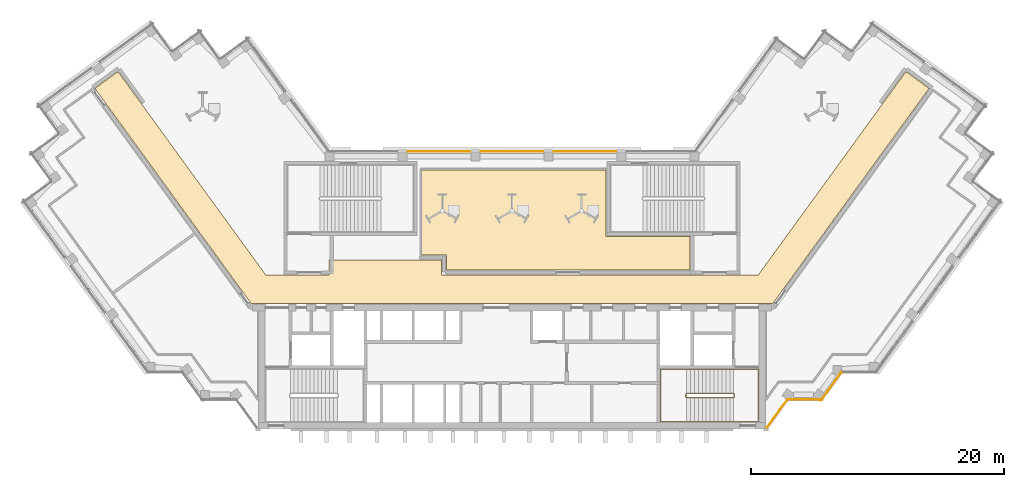
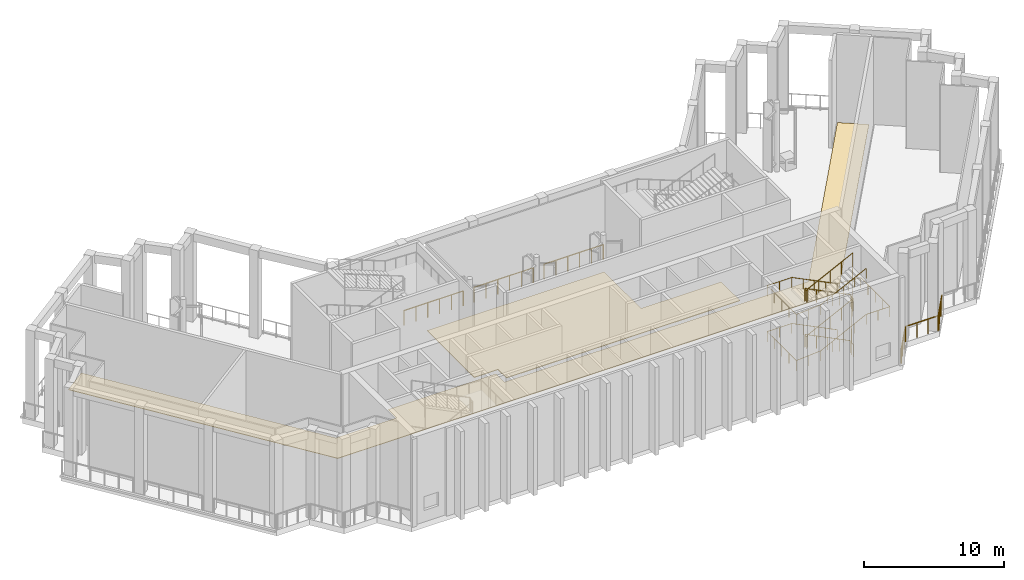
# One storey, part 9 of 12: 8 railings, 2 coverings.
"""IFC4 building model written with IfcOpenShell, lengths in metres."""

from ifc_helpers import new_model, si_unit, direction, frame, origin, origin_2d, place, context, subcontext, project, spatial, polyline, circle, outline, extrude, material, layer, layer_set, type_object, element, save


model = new_model("IFC4")

# Units and contexts
model_context = context("Model", 3, precision=1e-05, world=origin(), true_north=direction((0.0, 1.0)))
body_context = subcontext(model_context, "Body", "Model", "MODEL_VIEW")
ifc_project = project(units=[si_unit("LENGTHUNIT", "METRE"), si_unit("AREAUNIT", "SQUARE_METRE"), si_unit("VOLUMEUNIT", "CUBIC_METRE"), si_unit("PLANEANGLEUNIT", "RADIAN"), si_unit("MASSUNIT", "GRAM", prefix="KILO")], contexts=[model_context])

# Site, building, storey
site_placement = place(None, origin())
site = spatial("IfcSite", under=ifc_project, at=site_placement, CompositionType="ELEMENT")
building_placement = place(site_placement, origin())
building = spatial("IfcBuilding", under=site, at=building_placement, Name="Quipu Civic Tower", CompositionType="ELEMENT")
storey_placement = place(building_placement, frame((0.0, 0.0, 273.0)))
storey = spatial("IfcBuildingStorey", under=building, at=storey_placement, Name="L64", CompositionType="ELEMENT", Elevation=273.0)

# Covering
ifc_material_1 = material(Name="Sealed cement screed")
ifc_layer_1 = layer(ifc_material_1, 0.050048828125)
ifc_layer_set_1 = layer_set([ifc_layer_1], Name="Sealed cement screed")
covering_type_1 = type_object("IfcCoveringType", Name="Sealed screed floor finish 50", PredefinedType="FLOORING", material=ifc_layer_set_1)
covering_1_placement = place(storey_placement, origin())
element("IfcCovering", 1, at=covering_1_placement, inside=storey, type_object=covering_type_1, Name="Sealed screed floor finish 50", PredefinedType="FLOORING", context=body_context, shape_type="SweptSolid", body=[
    extrude(outline(polyline([(-7.1279296875, 2.719970703125), (-7.1279296875, 9.429931640625), (7.429931640625, 9.429931640625), (7.430908203125, 4.179931640625), (14.030029296875, 4.179931640625), (14.030029296875, 1.52001953125), (-5.179931640625, 1.52001953125), (-5.180908203125, 2.719970703125), (-7.1279296875, 2.719970703125)])), origin(), (0.0, 0.0, 1.0), 0.050048828125),
])

# Railings
ifc_material_2 = material(Name="Steel S275", Category="steel")
railing_type_1 = type_object("IfcRailingType", Name="Slot perimeter guard G3", PredefinedType="GUARDRAIL", material=ifc_material_2)
railing_1_placement = place(storey_placement, frame((20.107666015625, -10.929443359375, 0.0)))
element("IfcRailing", 2, at=railing_1_placement, inside=storey, type_object=railing_type_1, Name="Slot guard L64.20", PredefinedType="GUARDRAIL", context=body_context, shape_type="SweptSolid", body=[
    extrude(circle(Radius=0.02490234375, at=origin_2d()), frame((0.0, 0.0, 1.27490234375), z_axis=(0.587822180636, 0.808990163075, 0.0), x_axis=(-0.808990163075, 0.587822180636, 0.0)), (0.0, 0.0, 1.0), 2.699951171875),
    extrude(circle(Radius=0.02490234375, at=origin_2d()), origin(), (0.0, 0.0, 1.0), 1.25),
    extrude(circle(Radius=0.02490234375, at=origin_2d()), frame((0.529052734375, 0.72802734375, 0.0)), (0.0, 0.0, 1.0), 1.25),
    extrude(circle(Radius=0.02490234375, at=origin_2d()), frame((1.05810546875, 1.456298828125, 0.0)), (0.0, 0.0, 1.0), 1.25),
    extrude(circle(Radius=0.02490234375, at=origin_2d()), frame((1.587158203125, 2.184326171875, 0.0)), (0.0, 0.0, 1.0), 1.25),
])
railing_2_placement = place(storey_placement, frame((21.791748046875, -8.69580078125, 0.0)))
element("IfcRailing", 3, at=railing_2_placement, inside=storey, type_object=railing_type_1, Name="Slot guard L64.21", PredefinedType="GUARDRAIL", context=body_context, shape_type="SweptSolid", body=[
    extrude(circle(Radius=0.02490234375, at=origin_2d()), frame((0.0, 0.0, 1.27490234375), z_axis=(1.0, 0.0, 0.0), x_axis=(0.0, 1.0, 0.0)), (0.0, 0.0, 1.0), 2.699951171875),
    extrude(circle(Radius=0.02490234375, at=origin_2d()), origin(), (0.0, 0.0, 1.0), 1.25),
    extrude(circle(Radius=0.02490234375, at=origin_2d()), frame((0.89990234375, 0.0, 0.0)), (0.0, 0.0, 1.0), 1.25),
    extrude(circle(Radius=0.02490234375, at=origin_2d()), frame((1.800048828125, 0.0, 0.0)), (0.0, 0.0, 1.0), 1.25),
    extrude(circle(Radius=0.02490234375, at=origin_2d()), frame((2.699951171875, 0.0, 0.0)), (0.0, 0.0, 1.0), 1.25),
])
railing_3_placement = place(storey_placement, frame((24.394775390625, -8.7451171875, 0.0)))
element("IfcRailing", 4, at=railing_3_placement, inside=storey, type_object=railing_type_1, Name="Slot guard L64.22", PredefinedType="GUARDRAIL", context=body_context, shape_type="SweptSolid", body=[
    extrude(circle(Radius=0.02490234375, at=origin_2d()), frame((0.0, 0.0, 1.27490234375), z_axis=(0.587762999008, 0.809033161865, 0.0), x_axis=(-0.809033161865, 0.587762999008, 0.0)), (0.0, 0.0, 1.0), 2.699951171875),
    extrude(circle(Radius=0.02490234375, at=origin_2d()), origin(), (0.0, 0.0, 1.0), 1.25),
    extrude(circle(Radius=0.02490234375, at=origin_2d()), frame((0.529052734375, 0.72802734375, 0.0)), (0.0, 0.0, 1.0), 1.25),
    extrude(circle(Radius=0.02490234375, at=origin_2d()), frame((1.057861328125, 1.456298828125, 0.0)), (0.0, 0.0, 1.0), 1.25),
    extrude(circle(Radius=0.02490234375, at=origin_2d()), frame((1.5869140625, 2.184326171875, 0.0)), (0.0, 0.0, 1.0), 1.25),
])
for number, where, name in (
    (5, (8.18701171875, 10.8798828125, 0.0), "Slot guard L64.40"),
    (6, (2.428955078125, 10.8798828125, 0.0), "Slot guard L64.41"),
    (7, (-3.3291015625, 10.8798828125, 0.0), "Slot guard L64.42"),
):
    element("IfcRailing", number, at=place(storey_placement, frame(where)), inside=storey, type_object=railing_type_1, Name=name, PredefinedType="GUARDRAIL", context=body_context, shape_type="SweptSolid", body=[
        extrude(circle(Radius=0.02490234375, at=origin_2d()), frame((0.0, 0.0, 1.27490234375), z_axis=(-1.0, 0.0, 0.0), x_axis=(0.0, -1.0, 0.0)), (0.0, 0.0, 1.0), 4.85791015625),
        extrude(circle(Radius=0.02490234375, at=origin_2d()), origin(), (0.0, 0.0, 1.0), 1.25),
        extrude(circle(Radius=0.02490234375, at=origin_2d()), frame((-0.9716796875, 0.0, 0.0)), (0.0, 0.0, 1.0), 1.25),
        extrude(circle(Radius=0.02490234375, at=origin_2d()), frame((-1.943115234375, 0.0, 0.0)), (0.0, 0.0, 1.0), 1.25),
        extrude(circle(Radius=0.02490234375, at=origin_2d()), frame((-2.914794921875, 0.0, 0.0)), (0.0, 0.0, 1.0), 1.25),
        extrude(circle(Radius=0.02490234375, at=origin_2d()), frame((-3.88623046875, 0.0, 0.0)), (0.0, 0.0, 1.0), 1.25),
        extrude(circle(Radius=0.02490234375, at=origin_2d()), frame((-4.85791015625, 0.0, 0.0)), (0.0, 0.0, 1.0), 1.25),
    ])
ifc_material_3 = material(Name="Stainless steel", Category="steel")
railing_type_2 = type_object("IfcRailingType", Name="Stair guard 1100", PredefinedType="GUARDRAIL", material=ifc_material_3)
railing_4_placement = place(storey_placement, frame((17.5, -8.199951171875, 0.15380859375)))
element("IfcRailing", 8, at=railing_4_placement, inside=storey, type_object=railing_type_2, Name="Stair 2 guard", PredefinedType="GUARDRAIL", context=body_context, shape_type="SweptSolid", body=[
    extrude(circle(Radius=0.02392578125, at=origin_2d()), frame((0.0, 0.0, 1.076171875), z_axis=(-0.895751851347, 0.0, 0.444554407028), x_axis=(0.0, -1.0, 0.0)), (0.0, 0.0, 1.0), 4.15283203125),
    extrude(circle(Radius=0.02392578125, at=origin_2d()), frame((-3.719970703125, 0.0, 2.92236328125), z_axis=(-0.707106781187, -0.707106781187, 0.0), x_axis=(0.707106781187, -0.707106781187, 0.0)), (0.0, 0.0, 1.0), 0.07080078125),
    extrude(circle(Radius=0.02392578125, at=origin_2d()), frame((-3.77001953125, -0.050048828125, 2.92236328125), z_axis=(0.0, -1.0, 0.0), x_axis=(1.0, 0.0, 0.0)), (0.0, 0.0, 1.0), 0.25),
    extrude(circle(Radius=0.02392578125, at=origin_2d()), frame((-3.77001953125, -0.300048828125, 2.92236328125), z_axis=(0.295599637079, -0.295599637079, 0.908428152975), x_axis=(0.707106781187, 0.707106781187, 0.0)), (0.0, 0.0, 1.0), 0.16943359375),
    extrude(circle(Radius=0.02392578125, at=origin_2d()), frame((-3.719970703125, -0.35009765625, 3.076171875), z_axis=(0.895751851347, 0.0, 0.444554407028), x_axis=(0.0, 1.0, 0.0)), (0.0, 0.0, 1.0), 4.15283203125),
    extrude(circle(Radius=0.02392578125, at=origin_2d()), frame((0.0, -0.35009765625, 4.92236328125), z_axis=(0.164529134168, 0.986372223864, 0.0), x_axis=(-0.986372223864, 0.164529134168, 0.0)), (0.0, 0.0, 1.0), 0.30419921875),
    extrude(circle(Radius=0.02392578125, at=origin_2d()), frame((0.050048828125, -0.050048828125, 4.92236328125), z_axis=(0.0, -1.0, 0.0), x_axis=(1.0, 0.0, 0.0)), (0.0, 0.0, 1.0), 0.25),
    extrude(circle(Radius=0.02392578125, at=origin_2d()), frame((0.050048828125, -0.300048828125, 4.92236328125), z_axis=(-0.146827419986, 0.880248288601, 0.451225729714), x_axis=(-0.986372223864, -0.164529134168, 0.0)), (0.0, 0.0, 1.0), 0.3408203125),
    extrude(circle(Radius=0.02392578125, at=origin_2d()), frame((0.0, 0.0, 5.076171875), z_axis=(-0.895751851347, 0.0, 0.444554407028), x_axis=(0.0, -1.0, 0.0)), (0.0, 0.0, 1.0), 4.15283203125),
    extrude(circle(Radius=0.02392578125, at=origin_2d()), frame((-3.719970703125, 0.0, 6.92236328125), z_axis=(-0.707106781187, -0.707106781187, 0.0), x_axis=(0.707106781187, -0.707106781187, 0.0)), (0.0, 0.0, 1.0), 0.07080078125),
    extrude(circle(Radius=0.02392578125, at=origin_2d()), frame((-3.77001953125, -0.050048828125, 6.92236328125), z_axis=(0.0, -1.0, 0.0), x_axis=(1.0, 0.0, 0.0)), (0.0, 0.0, 1.0), 0.25),
    extrude(circle(Radius=0.02392578125, at=origin_2d()), frame((-3.77001953125, -0.300048828125, 6.92236328125), z_axis=(0.295599637079, -0.295599637079, 0.908428152975), x_axis=(0.707106781187, 0.707106781187, 0.0)), (0.0, 0.0, 1.0), 0.16943359375),
    extrude(circle(Radius=0.02392578125, at=origin_2d()), frame((-3.719970703125, -0.35009765625, 7.076171875), z_axis=(0.895751851347, 0.0, 0.444554407028), x_axis=(0.0, 1.0, 0.0)), (0.0, 0.0, 1.0), 4.15283203125),
    extrude(circle(Radius=0.02392578125, at=origin_2d()), frame((0.0, -0.35009765625, 8.92236328125), z_axis=(0.006251585731, 0.037479018846, -0.999277859668), x_axis=(-0.986372223864, 0.164529134168, 0.0)), (0.0, 0.0, 1.0), 8.005859375),
    extrude(circle(Radius=0.02392578125, at=origin_2d()), frame((0.050048828125, -0.050048828125, 0.92236328125), z_axis=(0.0, -1.0, 0.0), x_axis=(1.0, 0.0, 0.0)), (0.0, 0.0, 1.0), 0.25),
    extrude(circle(Radius=0.02099609375, at=origin_2d()), origin(), (0.0, 0.0, 1.0), 1.052001953125),
    extrude(circle(Radius=0.02099609375, at=origin_2d()), frame((-0.929931640625, 0.0, 0.46142578125)), (0.0, 0.0, 1.0), 1.052001953125),
    extrude(circle(Radius=0.02099609375, at=origin_2d()), frame((-1.85986328125, 0.0, 0.923095703125)), (0.0, 0.0, 1.0), 1.052001953125),
    extrude(circle(Radius=0.02099609375, at=origin_2d()), frame((-2.7900390625, 0.0, 1.384765625)), (0.0, 0.0, 1.0), 1.052001953125),
    extrude(circle(Radius=0.02099609375, at=origin_2d()), frame((-3.719970703125, 0.0, 1.84619140625)), (0.0, 0.0, 1.0), 1.052001953125),
    extrude(circle(Radius=0.02099609375, at=origin_2d()), frame((-3.77001953125, -0.050048828125, 1.84619140625)), (0.0, 0.0, 1.0), 1.052001953125),
    extrude(circle(Radius=0.02099609375, at=origin_2d()), frame((-3.77001953125, -0.300048828125, 1.84619140625)), (0.0, 0.0, 1.0), 1.052001953125),
    extrude(circle(Radius=0.02099609375, at=origin_2d()), frame((-3.719970703125, -0.35009765625, 2.0)), (0.0, 0.0, 1.0), 1.052001953125),
    extrude(circle(Radius=0.02099609375, at=origin_2d()), frame((-2.7900390625, -0.35009765625, 2.46142578125)), (0.0, 0.0, 1.0), 1.052001953125),
    extrude(circle(Radius=0.02099609375, at=origin_2d()), frame((-1.85986328125, -0.35009765625, 2.923095703125)), (0.0, 0.0, 1.0), 1.052001953125),
    extrude(circle(Radius=0.02099609375, at=origin_2d()), frame((-0.929931640625, -0.35009765625, 3.384765625)), (0.0, 0.0, 1.0), 1.052001953125),
    extrude(circle(Radius=0.02099609375, at=origin_2d()), frame((0.0, -0.35009765625, 3.84619140625)), (0.0, 0.0, 1.0), 1.052001953125),
    extrude(circle(Radius=0.02099609375, at=origin_2d()), frame((0.050048828125, -0.050048828125, 3.84619140625)), (0.0, 0.0, 1.0), 1.052001953125),
    extrude(circle(Radius=0.02099609375, at=origin_2d()), frame((0.050048828125, -0.300048828125, 3.84619140625)), (0.0, 0.0, 1.0), 1.052001953125),
    extrude(circle(Radius=0.02099609375, at=origin_2d()), frame((0.0, 0.0, 4.0)), (0.0, 0.0, 1.0), 1.052001953125),
    extrude(circle(Radius=0.02099609375, at=origin_2d()), frame((-0.929931640625, 0.0, 4.46142578125)), (0.0, 0.0, 1.0), 1.052001953125),
    extrude(circle(Radius=0.02099609375, at=origin_2d()), frame((-1.85986328125, 0.0, 4.923095703125)), (0.0, 0.0, 1.0), 1.052001953125),
    extrude(circle(Radius=0.02099609375, at=origin_2d()), frame((-2.7900390625, 0.0, 5.384765625)), (0.0, 0.0, 1.0), 1.052001953125),
    extrude(circle(Radius=0.02099609375, at=origin_2d()), frame((-3.719970703125, 0.0, 5.84619140625)), (0.0, 0.0, 1.0), 1.052001953125),
    extrude(circle(Radius=0.02099609375, at=origin_2d()), frame((-3.77001953125, -0.050048828125, 5.84619140625)), (0.0, 0.0, 1.0), 1.052001953125),
    extrude(circle(Radius=0.02099609375, at=origin_2d()), frame((-3.77001953125, -0.300048828125, 5.84619140625)), (0.0, 0.0, 1.0), 1.052001953125),
    extrude(circle(Radius=0.02099609375, at=origin_2d()), frame((-3.719970703125, -0.35009765625, 6.0)), (0.0, 0.0, 1.0), 1.052001953125),
    extrude(circle(Radius=0.02099609375, at=origin_2d()), frame((-2.7900390625, -0.35009765625, 6.46142578125)), (0.0, 0.0, 1.0), 1.052001953125),
    extrude(circle(Radius=0.02099609375, at=origin_2d()), frame((-1.85986328125, -0.35009765625, 6.923095703125)), (0.0, 0.0, 1.0), 1.052001953125),
    extrude(circle(Radius=0.02099609375, at=origin_2d()), frame((-0.929931640625, -0.35009765625, 7.384765625)), (0.0, 0.0, 1.0), 1.052001953125),
    extrude(circle(Radius=0.02099609375, at=origin_2d()), frame((0.0, -0.35009765625, 7.84619140625)), (0.0, 0.0, 1.0), 1.052001953125),
    extrude(circle(Radius=0.02099609375, at=origin_2d()), frame((0.007080078125, -0.30712890625, 6.703369140625)), (0.0, 0.0, 1.0), 1.052001953125),
    extrude(circle(Radius=0.02099609375, at=origin_2d()), frame((0.014404296875, -0.264404296875, 5.560546875)), (0.0, 0.0, 1.0), 1.052001953125),
    extrude(circle(Radius=0.02099609375, at=origin_2d()), frame((0.021484375, -0.221435546875, 4.417724609375)), (0.0, 0.0, 1.0), 1.052001953125),
    extrude(circle(Radius=0.02099609375, at=origin_2d()), frame((0.028564453125, -0.1787109375, 3.274658203125)), (0.0, 0.0, 1.0), 1.052001953125),
    extrude(circle(Radius=0.02099609375, at=origin_2d()), frame((0.03564453125, -0.1357421875, 2.1318359375)), (0.0, 0.0, 1.0), 1.052001953125),
    extrude(circle(Radius=0.02099609375, at=origin_2d()), frame((0.04296875, -0.093017578125, 0.989013671875)), (0.0, 0.0, 1.0), 1.052001953125),
    extrude(circle(Radius=0.02099609375, at=origin_2d()), frame((0.050048828125, -0.050048828125, -0.15380859375)), (0.0, 0.0, 1.0), 1.052001953125),
    extrude(circle(Radius=0.02099609375, at=origin_2d()), frame((0.050048828125, -0.300048828125, -0.15380859375)), (0.0, 0.0, 1.0), 1.052001953125),
])
ifc_material_4 = material(Name="Stainless steel", Category="steel")
railing_type_3 = type_object("IfcRailingType", Name="Stair handrail", PredefinedType="HANDRAIL", material=ifc_material_4)
railing_5_placement = place(storey_placement, frame((17.5, -6.300048828125, 0.15380859375)))
element("IfcRailing", 9, at=railing_5_placement, inside=storey, type_object=railing_type_3, Name="Stair 2 handrail", PredefinedType="HANDRAIL", context=body_context, shape_type="SweptSolid", body=[
    extrude(circle(Radius=0.02392578125, at=origin_2d()), frame((0.0, 0.0, 0.8759765625), z_axis=(-0.895751851347, 0.0, 0.444554407028), x_axis=(0.0, -1.0, 0.0)), (0.0, 0.0, 1.0), 4.15283203125),
    extrude(circle(Radius=0.02392578125, at=origin_2d()), frame((-3.719970703125, 0.0, 2.72216796875), z_axis=(-1.0, 0.0, 0.0), x_axis=(0.0, -1.0, 0.0)), (0.0, 0.0, 1.0), 2.030029296875),
    extrude(circle(Radius=0.02392578125, at=origin_2d()), frame((-5.75, 0.0, 2.72216796875), z_axis=(0.0, -1.0, 0.0), x_axis=(1.0, 0.0, 0.0)), (0.0, 0.0, 1.0), 4.14990234375),
    extrude(circle(Radius=0.02392578125, at=origin_2d()), frame((-5.75, -4.14990234375, 2.72216796875), z_axis=(0.997142003663, 0.0, 0.075550145798), x_axis=(0.0, 1.0, 0.0)), (0.0, 0.0, 1.0), 2.035888671875),
    extrude(circle(Radius=0.02392578125, at=origin_2d()), frame((-3.719970703125, -4.14990234375, 2.8759765625), z_axis=(0.895751851347, 0.0, 0.444554407028), x_axis=(0.0, 1.0, 0.0)), (0.0, 0.0, 1.0), 4.15283203125),
    extrude(circle(Radius=0.02392578125, at=origin_2d()), frame((0.0, -4.14990234375, 4.72216796875), z_axis=(1.0, 0.0, 0.0), x_axis=(0.0, 1.0, 0.0)), (0.0, 0.0, 1.0), 1.949951171875),
    extrude(circle(Radius=0.02392578125, at=origin_2d()), frame((1.949951171875, -4.14990234375, 4.72216796875), z_axis=(0.0, 1.0, 0.0), x_axis=(-1.0, 0.0, 0.0)), (0.0, 0.0, 1.0), 4.14990234375),
    extrude(circle(Radius=0.02392578125, at=origin_2d()), frame((1.949951171875, 0.0, 4.72216796875), z_axis=(-0.99690355813, 0.0, 0.078633935348), x_axis=(0.0, -1.0, 0.0)), (0.0, 0.0, 1.0), 1.9560546875),
    extrude(circle(Radius=0.02392578125, at=origin_2d()), frame((0.0, 0.0, 4.8759765625), z_axis=(-0.895751851347, 0.0, 0.444554407028), x_axis=(0.0, -1.0, 0.0)), (0.0, 0.0, 1.0), 4.15283203125),
    extrude(circle(Radius=0.02392578125, at=origin_2d()), frame((-3.719970703125, 0.0, 6.72216796875), z_axis=(-1.0, 0.0, 0.0), x_axis=(0.0, -1.0, 0.0)), (0.0, 0.0, 1.0), 2.030029296875),
    extrude(circle(Radius=0.02392578125, at=origin_2d()), frame((-5.75, 0.0, 6.72216796875), z_axis=(0.0, -1.0, 0.0), x_axis=(1.0, 0.0, 0.0)), (0.0, 0.0, 1.0), 4.14990234375),
    extrude(circle(Radius=0.02392578125, at=origin_2d()), frame((-5.75, -4.14990234375, 6.72216796875), z_axis=(0.997142003663, 0.0, 0.075550145798), x_axis=(0.0, 1.0, 0.0)), (0.0, 0.0, 1.0), 2.035888671875),
    extrude(circle(Radius=0.02392578125, at=origin_2d()), frame((-3.719970703125, -4.14990234375, 6.8759765625), z_axis=(0.895751851347, 0.0, 0.444554407028), x_axis=(0.0, 1.0, 0.0)), (0.0, 0.0, 1.0), 4.15283203125),
    extrude(circle(Radius=0.02099609375, at=origin_2d()), origin(), (0.0, 0.0, 1.0), 0.851806640625),
    extrude(circle(Radius=0.02099609375, at=origin_2d()), frame((-0.929931640625, 0.0, 0.46142578125)), (0.0, 0.0, 1.0), 0.851806640625),
    extrude(circle(Radius=0.02099609375, at=origin_2d()), frame((-1.85986328125, 0.0, 0.923095703125)), (0.0, 0.0, 1.0), 0.851806640625),
    extrude(circle(Radius=0.02099609375, at=origin_2d()), frame((-2.7900390625, 0.0, 1.384765625)), (0.0, 0.0, 1.0), 0.851806640625),
    extrude(circle(Radius=0.02099609375, at=origin_2d()), frame((-3.719970703125, 0.0, 1.84619140625)), (0.0, 0.0, 1.0), 0.851806640625),
    extrude(circle(Radius=0.02099609375, at=origin_2d()), frame((-4.73486328125, 0.0, 1.84619140625)), (0.0, 0.0, 1.0), 0.851806640625),
    extrude(circle(Radius=0.02099609375, at=origin_2d()), frame((-5.75, 0.0, 1.84619140625)), (0.0, 0.0, 1.0), 0.851806640625),
    extrude(circle(Radius=0.02099609375, at=origin_2d()), frame((-5.75, -1.03759765625, 1.84619140625)), (0.0, 0.0, 1.0), 0.851806640625),
    extrude(circle(Radius=0.02099609375, at=origin_2d()), frame((-5.75, -2.074951171875, 1.84619140625)), (0.0, 0.0, 1.0), 0.851806640625),
    extrude(circle(Radius=0.02099609375, at=origin_2d()), frame((-5.75, -3.1123046875, 1.84619140625)), (0.0, 0.0, 1.0), 0.851806640625),
    extrude(circle(Radius=0.02099609375, at=origin_2d()), frame((-5.75, -4.14990234375, 1.84619140625)), (0.0, 0.0, 1.0), 0.851806640625),
    extrude(circle(Radius=0.02099609375, at=origin_2d()), frame((-4.73486328125, -4.14990234375, 1.923095703125)), (0.0, 0.0, 1.0), 0.851806640625),
    extrude(circle(Radius=0.02099609375, at=origin_2d()), frame((-3.719970703125, -4.14990234375, 2.0)), (0.0, 0.0, 1.0), 0.851806640625),
    extrude(circle(Radius=0.02099609375, at=origin_2d()), frame((-2.7900390625, -4.14990234375, 2.46142578125)), (0.0, 0.0, 1.0), 0.851806640625),
    extrude(circle(Radius=0.02099609375, at=origin_2d()), frame((-1.85986328125, -4.14990234375, 2.923095703125)), (0.0, 0.0, 1.0), 0.851806640625),
    extrude(circle(Radius=0.02099609375, at=origin_2d()), frame((-0.929931640625, -4.14990234375, 3.384765625)), (0.0, 0.0, 1.0), 0.851806640625),
    extrude(circle(Radius=0.02099609375, at=origin_2d()), frame((0.0, -4.14990234375, 3.84619140625)), (0.0, 0.0, 1.0), 0.851806640625),
    extrude(circle(Radius=0.02099609375, at=origin_2d()), frame((0.97509765625, -4.14990234375, 3.84619140625)), (0.0, 0.0, 1.0), 0.851806640625),
    extrude(circle(Radius=0.02099609375, at=origin_2d()), frame((1.949951171875, -4.14990234375, 3.84619140625)), (0.0, 0.0, 1.0), 0.851806640625),
    extrude(circle(Radius=0.02099609375, at=origin_2d()), frame((1.949951171875, -3.1123046875, 3.84619140625)), (0.0, 0.0, 1.0), 0.851806640625),
    extrude(circle(Radius=0.02099609375, at=origin_2d()), frame((1.949951171875, -2.074951171875, 3.84619140625)), (0.0, 0.0, 1.0), 0.851806640625),
    extrude(circle(Radius=0.02099609375, at=origin_2d()), frame((1.949951171875, -1.03759765625, 3.84619140625)), (0.0, 0.0, 1.0), 0.851806640625),
    extrude(circle(Radius=0.02099609375, at=origin_2d()), frame((1.949951171875, 0.0, 3.84619140625)), (0.0, 0.0, 1.0), 0.851806640625),
    extrude(circle(Radius=0.02099609375, at=origin_2d()), frame((0.97509765625, 0.0, 3.923095703125)), (0.0, 0.0, 1.0), 0.851806640625),
    extrude(circle(Radius=0.02099609375, at=origin_2d()), frame((0.0, 0.0, 4.0)), (0.0, 0.0, 1.0), 0.851806640625),
    extrude(circle(Radius=0.02099609375, at=origin_2d()), frame((-0.929931640625, 0.0, 4.46142578125)), (0.0, 0.0, 1.0), 0.851806640625),
    extrude(circle(Radius=0.02099609375, at=origin_2d()), frame((-1.85986328125, 0.0, 4.923095703125)), (0.0, 0.0, 1.0), 0.851806640625),
    extrude(circle(Radius=0.02099609375, at=origin_2d()), frame((-2.7900390625, 0.0, 5.384765625)), (0.0, 0.0, 1.0), 0.851806640625),
    extrude(circle(Radius=0.02099609375, at=origin_2d()), frame((-3.719970703125, 0.0, 5.84619140625)), (0.0, 0.0, 1.0), 0.851806640625),
    extrude(circle(Radius=0.02099609375, at=origin_2d()), frame((-4.73486328125, 0.0, 5.84619140625)), (0.0, 0.0, 1.0), 0.851806640625),
    extrude(circle(Radius=0.02099609375, at=origin_2d()), frame((-5.75, 0.0, 5.84619140625)), (0.0, 0.0, 1.0), 0.851806640625),
    extrude(circle(Radius=0.02099609375, at=origin_2d()), frame((-5.75, -1.03759765625, 5.84619140625)), (0.0, 0.0, 1.0), 0.851806640625),
    extrude(circle(Radius=0.02099609375, at=origin_2d()), frame((-5.75, -2.074951171875, 5.84619140625)), (0.0, 0.0, 1.0), 0.851806640625),
    extrude(circle(Radius=0.02099609375, at=origin_2d()), frame((-5.75, -3.1123046875, 5.84619140625)), (0.0, 0.0, 1.0), 0.851806640625),
    extrude(circle(Radius=0.02099609375, at=origin_2d()), frame((-5.75, -4.14990234375, 5.84619140625)), (0.0, 0.0, 1.0), 0.851806640625),
    extrude(circle(Radius=0.02099609375, at=origin_2d()), frame((-4.73486328125, -4.14990234375, 5.923095703125)), (0.0, 0.0, 1.0), 0.851806640625),
    extrude(circle(Radius=0.02099609375, at=origin_2d()), frame((-3.719970703125, -4.14990234375, 6.0)), (0.0, 0.0, 1.0), 0.851806640625),
    extrude(circle(Radius=0.02099609375, at=origin_2d()), frame((-2.7900390625, -4.14990234375, 6.46142578125)), (0.0, 0.0, 1.0), 0.851806640625),
    extrude(circle(Radius=0.02099609375, at=origin_2d()), frame((-1.85986328125, -4.14990234375, 6.923095703125)), (0.0, 0.0, 1.0), 0.851806640625),
    extrude(circle(Radius=0.02099609375, at=origin_2d()), frame((-0.929931640625, -4.14990234375, 7.384765625)), (0.0, 0.0, 1.0), 0.851806640625),
    extrude(circle(Radius=0.02099609375, at=origin_2d()), frame((0.0, -4.14990234375, 7.84619140625)), (0.0, 0.0, 1.0), 0.851806640625),
])

# Covering
ifc_material_5 = material(Name="Terrazzo floor finish")
ifc_layer_2 = layer(ifc_material_5, 0.0400390625)
ifc_layer_set_2 = layer_set([ifc_layer_2], Name="Terrazzo floor finish")
covering_type_2 = type_object("IfcCoveringType", Name="Terrazzo floor finish 40", PredefinedType="FLOORING", material=ifc_layer_set_2)
covering_2_placement = place(storey_placement, origin())
element("IfcCovering", 10, at=covering_2_placement, inside=storey, type_object=covering_type_2, Name="Terrazzo floor finish 40", PredefinedType="FLOORING", context=body_context, shape_type="SweptSolid", body=[
    extrude(outline(polyline([(-5.570068359375, 2.330078125), (-5.570068359375, 1.1298828125), (19.425048828125, 1.1298828125), (31.093994140625, 17.19189453125), (32.922119140625, 15.864990234375), (20.574951171875, -1.1298828125), (-20.574951171875, -1.1298828125), (-32.922119140625, 15.864990234375), (-31.093994140625, 17.19189453125), (-19.425048828125, 1.1298828125), (-14.429931640625, 1.1298828125), (-14.429931640625, 2.330078125), (-5.570068359375, 2.330078125)])), origin(), (0.0, 0.0, 1.0), 0.0400390625),
])

save(model, "model.ifc")
